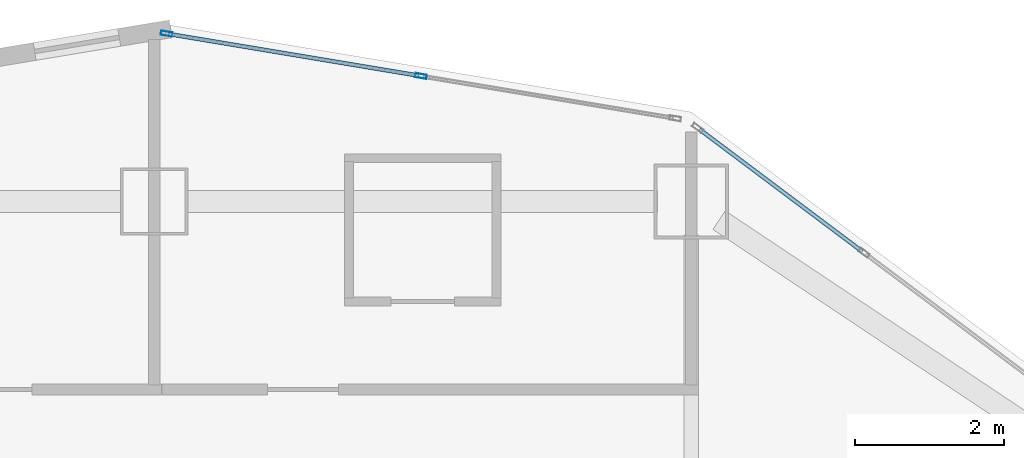
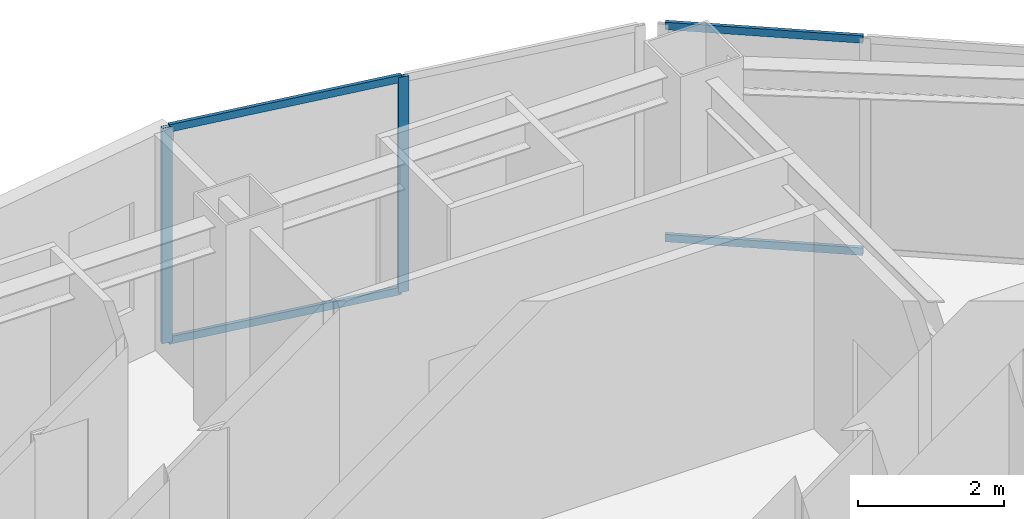
# One storey, part 2 of 14: 6 members, 2 elements without a shape of their own.
"""IFC4 building model written with IfcOpenShell, lengths in metres."""

import ifcopenshell
import ifcopenshell.guid

model = None  # the IFC model being written
_history = None  # IfcOwnerHistory: only IFC2X3 demands one
_inside = {}  # id of a spatial element -> (the spatial element, [elements in it])
_under = {}  # id of a project, library or spatial element -> (it, [spatial elements below it])
_declared = {}  # id of a project -> (the project, [libraries it declares])
_typed = {}  # id of a type object -> (the type object, [elements of that type])
_made_of = {}  # id of a material, layer set ... -> (it, [elements and type objects made of it])


def new_model(schema):
    """Start an empty IFC model of exactly this schema.

    Asked for "IFC4X3", IfcOpenShell would pick the latest addendum, in which some entities
    have other attributes; the version numbers below select the first issue.
    IFC2X3 requires an IfcOwnerHistory on every rooted entity: one is made here for all.
    """
    global model, _history
    if schema == "IFC4X3":
        model = ifcopenshell.file(schema_version=(4, 3, 0, 0))
    else:
        model = ifcopenshell.file(schema=schema)
    _inside.clear()
    _under.clear()
    _declared.clear()
    _typed.clear()
    _made_of.clear()
    _history = None
    if model.schema == "IFC2X3":
        org = make("IfcOrganization", Name="unknown")
        user = make(
            "IfcPersonAndOrganization",
            ThePerson=make("IfcPerson", FamilyName="unknown"),
            TheOrganization=org,
        )
        app = make(
            "IfcApplication",
            ApplicationDeveloper=org,
            Version="unknown",
            ApplicationFullName="unknown",
            ApplicationIdentifier="unknown",
        )
        _history = make(
            "IfcOwnerHistory",
            OwningUser=user,
            OwningApplication=app,
            ChangeAction="ADDED",
            CreationDate=0,
        )
    return model


def make(cls, **values):
    """One entity of the class cls with the attributes given. An attribute that is None is left unset."""
    return model.create_entity(
        cls, **{name: value for name, value in values.items() if value is not None}
    )


def rooted(cls, **values):
    """An entity with a GlobalId (a new one), such as an element, a storey or a relation."""
    return make(cls, GlobalId=ifcopenshell.guid.new(), OwnerHistory=_history, **values)


def si_unit(unit_type, name, prefix=None):
    """IfcSIUnit, for example si_unit("LENGTHUNIT", "METRE", prefix="MILLI")."""
    return make("IfcSIUnit", UnitType=unit_type, Prefix=prefix, Name=name)


def assignment(units):
    """IfcUnitAssignment: the units of a project."""
    return None if units is None else make("IfcUnitAssignment", Units=units)


def point(xyz):
    """IfcCartesianPoint."""
    return None if xyz is None else make("IfcCartesianPoint", Coordinates=xyz)


def direction(xyz):
    """IfcDirection."""
    return None if xyz is None else make("IfcDirection", DirectionRatios=xyz)


def frame(location, z_axis=None, x_axis=None):
    """IfcAxis2Placement3D, a coordinate frame: its origin and axes. An axis left out is left unset."""
    return make(
        "IfcAxis2Placement3D",
        Location=point(location),
        Axis=direction(z_axis),
        RefDirection=direction(x_axis),
    )


def frame_2d(location, x_axis=None):
    """IfcAxis2Placement2D, a coordinate frame in the plane: its origin and x axis."""
    return make(
        "IfcAxis2Placement2D", Location=point(location), RefDirection=direction(x_axis)
    )


def origin():
    """The frame at (0, 0, 0) with its axes left unset."""
    return frame((0.0, 0.0, 0.0))


def origin_2d():
    """The frame at (0, 0) in the plane with its x axis left unset."""
    return frame_2d((0.0, 0.0))


def place(relative_to, where):
    """IfcLocalPlacement: puts the frame where relative to a parent placement (None: the world)."""
    return make(
        "IfcLocalPlacement", PlacementRelTo=relative_to, RelativePlacement=where
    )


def context(
    kind, dimensions, precision=None, world=None, true_north=None, identifier=None
):
    """IfcGeometricRepresentationContext, for example the 3D "Model" context."""
    return make(
        "IfcGeometricRepresentationContext",
        ContextIdentifier=identifier,
        ContextType=kind,
        CoordinateSpaceDimension=dimensions,
        Precision=precision,
        WorldCoordinateSystem=world,
        TrueNorth=true_north,
    )


def subcontext(parent, identifier, kind, view, scale=None):
    """IfcGeometricRepresentationSubContext, for example "Body" below "Model"."""
    return make(
        "IfcGeometricRepresentationSubContext",
        ContextIdentifier=identifier,
        ContextType=kind,
        ParentContext=parent,
        TargetScale=scale,
        TargetView=view,
    )


def project(units=None, contexts=None):
    """IfcProject with its units and contexts."""
    return rooted(
        "IfcProject",
        Name="project",
        RepresentationContexts=contexts,
        UnitsInContext=assignment(units),
    )


def spatial(cls, under=None, at=None, **own):
    """A site, building, storey or space (cls), placed at a placement, below another one or the project."""
    s = rooted(cls, ObjectPlacement=at, **own)
    if under is not None:
        _under.setdefault(under.id(), (under, []))[1].append(s)
    return s


def profile(cls, at=None, kind="AREA", **sizes):
    """A parametric profile (cls). Its sizes go by their IFC names, for example OverallWidth=200.0."""
    return make(cls, ProfileType=kind, Position=at, **sizes)


def hollow_rectangle(**sizes):
    """IfcRectangleHollowProfileDef."""
    return profile("IfcRectangleHollowProfileDef", **sizes)


def extrude(swept, where, along, depth):
    """IfcExtrudedAreaSolid: the profile swept, set in the frame where, extruded along a direction by depth."""
    return make(
        "IfcExtrudedAreaSolid",
        SweptArea=swept,
        Position=where,
        ExtrudedDirection=direction(along),
        Depth=depth,
    )


def shape(context_of_items, identifier, shape_type, items):
    """IfcShapeRepresentation: the items that make up one representation, for example the "Body"."""
    return make(
        "IfcShapeRepresentation",
        ContextOfItems=context_of_items,
        RepresentationIdentifier=identifier,
        RepresentationType=shape_type,
        Items=items,
    )


def material(Name=None, Category=None):
    """IfcMaterial."""
    return make("IfcMaterial", Name=Name, Category=Category)


def layer(
    of_material, thickness, ventilated=None, Name=None, Category=None, Priority=None
):
    """IfcMaterialLayer: one layer of a wall or slab, of a material (None: an air gap)."""
    return make(
        "IfcMaterialLayer",
        Material=of_material,
        LayerThickness=thickness,
        IsVentilated=ventilated,
        Name=Name,
        Category=Category,
        Priority=Priority,
    )


def layer_set(layers, Name=None):
    """IfcMaterialLayerSet."""
    return make("IfcMaterialLayerSet", MaterialLayers=layers, LayerSetName=Name)


def material_profile(
    of_material, cross_section, Name=None, Category=None, Priority=None
):
    """IfcMaterialProfile: a cross section and its material."""
    return make(
        "IfcMaterialProfile",
        Name=Name,
        Material=of_material,
        Profile=cross_section,
        Priority=Priority,
        Category=Category,
    )


def profile_set(profiles, Name=None, composite=None):
    """IfcMaterialProfileSet."""
    return make(
        "IfcMaterialProfileSet",
        Name=Name,
        MaterialProfiles=profiles,
        CompositeProfile=composite,
    )


def made_of(thing, what):
    """Note that an element or type object is made of a material, layer set ...; save() writes the relation."""
    if what is not None:
        _made_of.setdefault(what.id(), (what, []))[1].append(thing)
    return thing


def type_object(cls, material=None, **own):
    """A type object (cls), such as IfcWallType, which elements share."""
    return made_of(rooted(cls, **own), material)


def element(
    cls,
    number,
    at=None,
    inside=None,
    cuts=None,
    type_object=None,
    material=None,
    context=None,
    identifier="Body",
    shape_type=None,
    held_by="IfcProductDefinitionShape",
    body=None,
    shapes=None,
    **own,
):
    """One element of the class cls, such as IfcWall. Its Tag is "e" and its number.

    at: its placement. inside: the storey or other place that contains it. cuts: it is an
    opening in that element (IfcRelVoidsElement). A single representation is given by context,
    identifier, shape_type and body (its items); several are given by shapes. held_by: the class
    of the entity that holds the representations. save() writes the other relations.
    """
    e = rooted(cls, Tag="e%d" % number, ObjectPlacement=at, **own)
    if body is not None:
        shapes = [shape(context, identifier, shape_type, body)]
    if shapes is not None:
        e.Representation = make(held_by, Representations=shapes)
    if inside is not None:
        _inside.setdefault(inside.id(), (inside, []))[1].append(e)
    if cuts is not None:
        rooted(
            "IfcRelVoidsElement", RelatingBuildingElement=cuts, RelatedOpeningElement=e
        )
    if type_object is not None:
        _typed.setdefault(type_object.id(), (type_object, []))[1].append(e)
    return made_of(e, material)


def aggregate(whole, parts):
    """IfcRelAggregates: a whole, such as a stair, and the parts it consists of."""
    return rooted("IfcRelAggregates", RelatingObject=whole, RelatedObjects=parts)


def save(model, path):
    """Write the relations noted so far, then the file.

    IfcRelAggregates (storeys below a building ...), IfcRelContainedInSpatialStructure (elements
    in a storey), IfcRelDefinesByType, IfcRelAssociatesMaterial and IfcRelDeclares: one each for
    every whole, place, type object, material and project.
    """
    for whole, parts in _under.values():
        aggregate(whole, parts)
    for where, things in _inside.values():
        rooted(
            "IfcRelContainedInSpatialStructure",
            RelatedElements=things,
            RelatingStructure=where,
        )
    for kind, things in _typed.values():
        rooted("IfcRelDefinesByType", RelatedObjects=things, RelatingType=kind)
    for what, things in _made_of.values():
        rooted("IfcRelAssociatesMaterial", RelatedObjects=things, RelatingMaterial=what)
    for by, libraries in _declared.values():
        rooted("IfcRelDeclares", RelatingContext=by, RelatedDefinitions=libraries)
    model.write(path)


model = new_model("IFC4")

# Units and contexts
model_context = context("Model", 3, precision=1e-05, world=origin(), true_north=direction((0.0, 1.0)))
body_context = subcontext(model_context, "Body", "Model", "MODEL_VIEW")
ifc_project = project(units=[si_unit("LENGTHUNIT", "METRE"), si_unit("AREAUNIT", "SQUARE_METRE"), si_unit("VOLUMEUNIT", "CUBIC_METRE"), si_unit("PLANEANGLEUNIT", "RADIAN"), si_unit("MASSUNIT", "GRAM", prefix="KILO")], contexts=[model_context])

# Site, building, storey
site_placement = place(None, origin())
site = spatial("IfcSite", under=ifc_project, at=site_placement, CompositionType="ELEMENT")
building_placement = place(site_placement, origin())
building = spatial("IfcBuilding", under=site, at=building_placement, Name="Haolan Belvedere Tower", CompositionType="ELEMENT")
storey_placement = place(building_placement, frame((0.0, 0.0, 98.39990234375)))
storey = spatial("IfcBuildingStorey", under=building, at=storey_placement, Name="L24", CompositionType="ELEMENT", Elevation=98.39990234375)

# Curtain wall, members
ifc_material_1 = material(Name="Anodised champagne-silver aluminium 6063-T6 and Low-E glass", Category="aluminium")
ifc_layer = layer(ifc_material_1, 0.155029296875, Name="Anodised champagne-silver aluminium 6063-T6 and Low-E glass")
ifc_layer_set = layer_set([ifc_layer], Name="Anodised champagne-silver aluminium 6063-T6 and Low-E glass")
curtain_wall_type = type_object("IfcCurtainWallType", Name="CW-SYS-03", PredefinedType="NOTDEFINED", material=ifc_layer_set)
curtain_wall_1_placement = place(storey_placement, origin())
curtain_wall_1 = element("IfcCurtainWall", 1, at=curtain_wall_1_placement, inside=storey, type_object=curtain_wall_type, Name="L24 CW-SYS-03 ribbon curtain wall 27.1", PredefinedType="NOTDEFINED")
ifc_material_2 = material(Name="Anodised aluminium 6063-T6", Category="aluminium")
ifc_material_profile_1 = material_profile(ifc_material_2, hollow_rectangle(XDim=0.05810546875, YDim=0.155029296875, WallThickness=0.00390625, at=origin_2d()), Name="Anodised aluminium 6063-T6")
ifc_profile_set_1 = profile_set([ifc_material_profile_1], Name="Anodised aluminium 6063-T6")
member_type_1 = type_object("IfcMemberType", Name="CW-SYS-03-MUL", PredefinedType="MULLION", material=ifc_profile_set_1)
member_1_placement = place(storey_placement, frame((41.9755859375, 52.082275390625, 0.0), z_axis=(0.0, 0.0, 1.0), x_axis=(-0.16440364043, -0.9863931483, 0.0)))
member_1 = element("IfcMember", 2, at=member_1_placement, type_object=member_type_1, Name="CW-03 mullion 2", PredefinedType="MULLION", context=body_context, shape_type="SweptSolid", body=[
    extrude(hollow_rectangle(XDim=0.05810546875, YDim=0.155029296875, WallThickness=0.00390625, at=origin_2d()), origin(), (0.0, 0.0, 1.0), 3.60009765625),
])
member_2_placement = place(storey_placement, frame((38.566650390625, 52.650634765625, 0.0), z_axis=(0.0, 0.0, 1.0), x_axis=(-0.16440364043, -0.9863931483, 0.0)))
member_2 = element("IfcMember", 3, at=member_2_placement, type_object=member_type_1, Name="CW-03 mullion 3", PredefinedType="MULLION", context=body_context, shape_type="SweptSolid", body=[
    extrude(hollow_rectangle(XDim=0.05810546875, YDim=0.155029296875, WallThickness=0.00390625, at=origin_2d()), origin(), (0.0, 0.0, 1.0), 3.60009765625),
])

curtain_wall_2_placement = place(storey_placement, origin())
curtain_wall_2 = element("IfcCurtainWall", 4, at=curtain_wall_2_placement, inside=storey, type_object=curtain_wall_type, Name="L24 CW-SYS-03 ribbon curtain wall 26.1", PredefinedType="NOTDEFINED")
ifc_material_profile_2 = material_profile(ifc_material_2, hollow_rectangle(XDim=0.053955078125, YDim=0.125, WallThickness=0.00390625, at=origin_2d()), Name="Anodised aluminium 6063-T6")
ifc_profile_set_2 = profile_set([ifc_material_profile_2], Name="Anodised aluminium 6063-T6")
member_type_2 = type_object("IfcMemberType", Name="CW-SYS-03-TRN", PredefinedType="USERDEFINED", material=ifc_profile_set_2)
member_3_placement = place(storey_placement, frame((47.892578125, 49.730712890625, 0.027099609375), z_axis=(-0.800032211306, 0.59995704919, 0.0), x_axis=(-0.59995704919, -0.800032211306, 0.0)))
member_3 = element("IfcMember", 5, at=member_3_placement, type_object=member_type_2, Name="CW-03 transom 2.1", ObjectType="TRANSOM", PredefinedType="USERDEFINED", context=body_context, shape_type="SweptSolid", body=[
    extrude(hollow_rectangle(XDim=0.053955078125, YDim=0.125, WallThickness=0.00390625, at=origin_2d()), origin(), (0.0, 0.0, 1.0), 2.728515625),
])
member_4_placement = place(storey_placement, frame((47.892578125, 49.730712890625, 3.572998046875), z_axis=(-0.800032211306, 0.59995704919, 0.0), x_axis=(-0.59995704919, -0.800032211306, 0.0)))
member_4 = element("IfcMember", 6, at=member_4_placement, type_object=member_type_2, Name="CW-03 transom 2.2", ObjectType="TRANSOM", PredefinedType="USERDEFINED", context=body_context, shape_type="SweptSolid", body=[
    extrude(hollow_rectangle(XDim=0.053955078125, YDim=0.125, WallThickness=0.00390625, at=origin_2d()), origin(), (0.0, 0.0, 1.0), 2.728515625),
])
aggregate(curtain_wall_2, [member_3, member_4])

# Member
member_5_placement = place(storey_placement, frame((41.947021484375, 52.087158203125, 0.027099609375), z_axis=(-0.986395865591, 0.16438733633, 0.0), x_axis=(-0.16438733633, -0.986395865591, 0.0)))
member_5 = element("IfcMember", 7, at=member_5_placement, type_object=member_type_2, Name="CW-03 transom 2.1", ObjectType="TRANSOM", PredefinedType="USERDEFINED", context=body_context, shape_type="SweptSolid", body=[
    extrude(hollow_rectangle(XDim=0.053955078125, YDim=0.125, WallThickness=0.00390625, at=origin_2d()), origin(), (0.0, 0.0, 1.0), 3.39794921875),
])

member_6_placement = place(storey_placement, frame((41.947021484375, 52.087158203125, 3.572998046875), z_axis=(-0.986395865591, 0.16438733633, 0.0), x_axis=(-0.16438733633, -0.986395865591, 0.0)))
member_6 = element("IfcMember", 8, at=member_6_placement, type_object=member_type_2, Name="CW-03 transom 2.2", ObjectType="TRANSOM", PredefinedType="USERDEFINED", context=body_context, shape_type="SweptSolid", body=[
    extrude(hollow_rectangle(XDim=0.053955078125, YDim=0.125, WallThickness=0.00390625, at=origin_2d()), origin(), (0.0, 0.0, 1.0), 3.39794921875),
])

aggregate(curtain_wall_1, [member_1, member_2, member_5, member_6])

save(model, "model.ifc")
